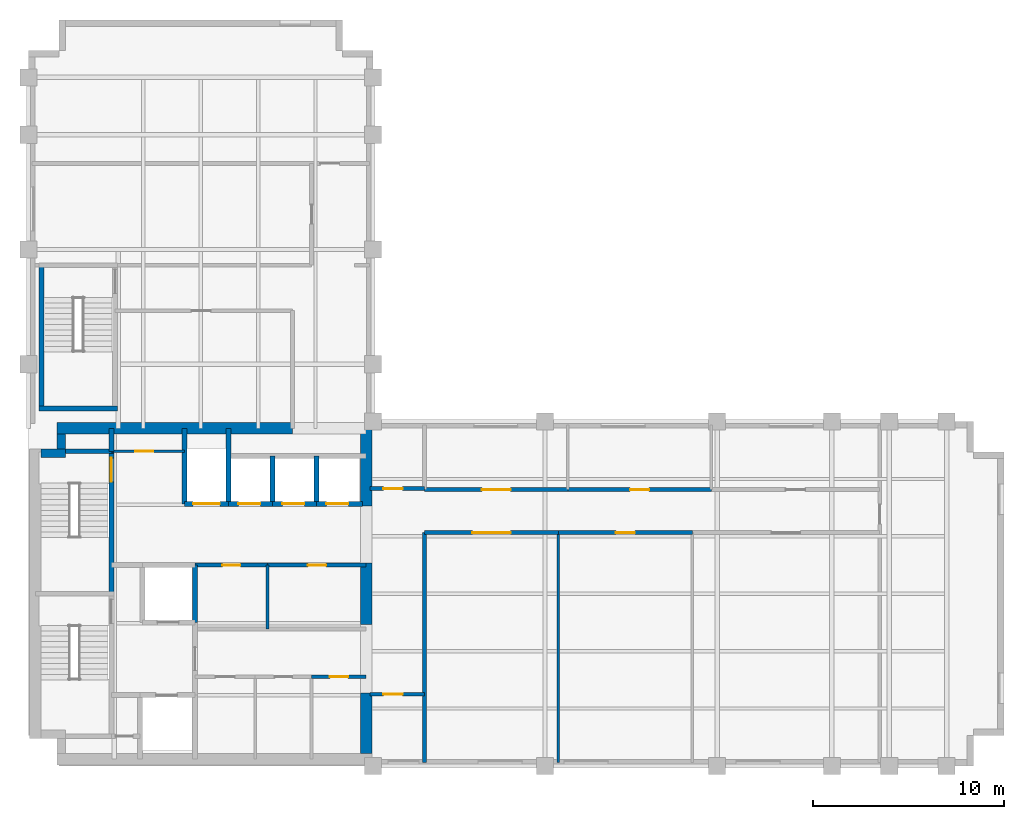
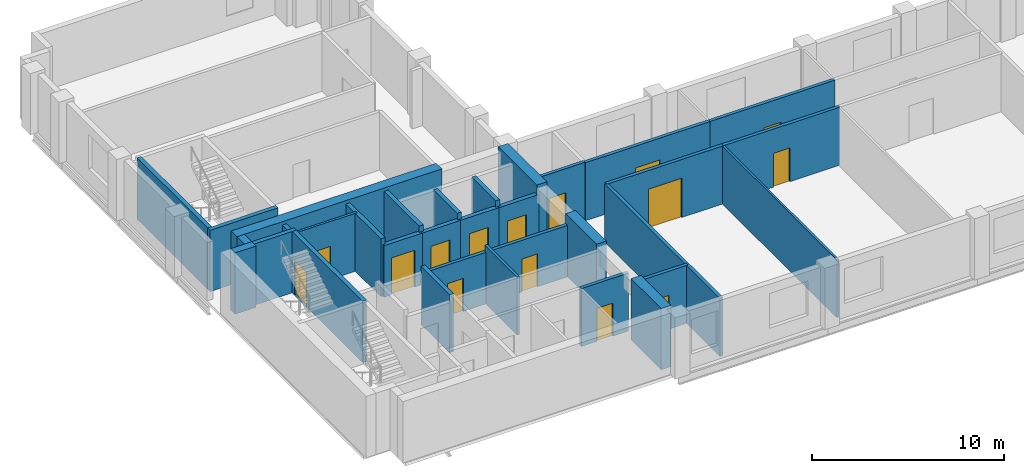
# One storey, part 3 of 6: 33 walls, 15 doors, 15 openings.
"""IFC4 building model written with IfcOpenShell, lengths in metres."""

from ifc_helpers import new_model, si_unit, direction, frame, frame_2d, origin, place, context, subcontext, project, spatial, rectangle, extrude, material, layer, layer_set, type_object, element, fill, save


model = new_model("IFC4")

# Units and contexts
model_context = context("Model", 3, precision=1e-05, world=origin(), true_north=direction((0.0, 1.0)))
body_context = subcontext(model_context, "Body", "Model", "MODEL_VIEW")
ifc_project = project(units=[si_unit("LENGTHUNIT", "METRE"), si_unit("AREAUNIT", "SQUARE_METRE"), si_unit("VOLUMEUNIT", "CUBIC_METRE"), si_unit("PLANEANGLEUNIT", "RADIAN"), si_unit("MASSUNIT", "GRAM", prefix="KILO")], contexts=[model_context])

# Site, building, storey
site_placement = place(None, origin())
site = spatial("IfcSite", under=ifc_project, at=site_placement, CompositionType="ELEMENT")
building_placement = place(site_placement, origin())
building = spatial("IfcBuilding", under=site, at=building_placement, Name="Mawjdan Bourse Tower", CompositionType="ELEMENT")
storey_placement = place(building_placement, frame((0.0, 0.0, 211.199951171875)))
storey = spatial("IfcBuildingStorey", under=building, at=storey_placement, Name="L51", CompositionType="ELEMENT", Elevation=211.199951171875)

# Wall, opening, door
ifc_material_1 = material(Name="Gypsum Fireboard Assembly")
ifc_layer_1 = layer(ifc_material_1, 0.199951171875)
ifc_layer_set_1 = layer_set([ifc_layer_1], Name="Gypsum Fireboard Assembly")
wall_type_1 = type_object("IfcWallType", Name="WL-CMP-200", PredefinedType="PARTITIONING", material=ifc_layer_set_1)
wall_1_placement = place(storey_placement, frame((20.800048828125, 7.659912109375, 0.0), z_axis=(0.0, 0.0, 1.0), x_axis=(1.0, 0.0, 0.0)))
wall_1 = element("IfcWall", 1, at=wall_1_placement, inside=storey, type_object=wall_type_1, Name="L51 Staff Beverage Pantry North Wall", PredefinedType="PARTITIONING", context=body_context, shape_type="SweptSolid", body=[
    extrude(rectangle(XDim=2.849853515625, YDim=0.199951171875, at=frame_2d((1.4248046875, 0.0))), origin(), (0.0, 0.0, 1.0), 3.68994140625),
])
opening_1_placement = place(wall_1_placement, frame((0.949951171875, 0.0, 0.0)))
opening_1 = element("IfcOpeningElement", 2, at=opening_1_placement, cuts=wall_1, Name="Opening D-L51-15", PredefinedType="OPENING", context=body_context, shape_type="SweptSolid", body=[
    extrude(rectangle(XDim=0.949951171875, YDim=2.10009765625, at=frame_2d((0.47509765625, 1.050048828125))), frame((0.0, 0.10986328125, 0.0), z_axis=(0.0, -1.0, 0.0), x_axis=(1.0, 0.0, 0.0)), (0.0, 0.0, 1.0), 0.219970703125),
])
ifc_material_2 = material(Name="Moisture-Resistant Laminate Timber", Category="wood")
door_type_1 = type_object("IfcDoorType", Name="DR-WET-0950", OperationType="NOTDEFINED", PredefinedType="DOOR", material=ifc_material_2)
door_1_placement = place(opening_1_placement, origin())
door_1 = element("IfcDoor", 3, at=door_1_placement, inside=storey, type_object=door_type_1, Name="L51 Staff Beverage Pantry Door D-L51-15", OperationType="SINGLE_SWING_RIGHT", OverallHeight=2.10009765625, OverallWidth=0.949951171875, PredefinedType="DOOR", context=body_context, shape_type="SweptSolid", body=[
    extrude(rectangle(XDim=0.949951171875, YDim=2.10009765625, at=frame_2d((0.47509765625, 1.050048828125))), frame((0.0, 0.02490234375, 0.0), z_axis=(0.0, -1.0, 0.0), x_axis=(1.0, 0.0, 0.0)), (0.0, 0.0, 1.0), 0.050048828125),
])
fill(opening_1, door_1)

wall_2_placement = place(storey_placement, frame((14.699951171875, 13.5, 0.0), z_axis=(0.0, 0.0, 1.0), x_axis=(1.0, 0.0, 0.0)))
wall_2 = element("IfcWall", 4, at=wall_2_placement, inside=storey, type_object=wall_type_1, Name="L51 Accessible WC North Wall", PredefinedType="PARTITIONING", context=body_context, shape_type="SweptSolid", body=[
    extrude(rectangle(XDim=3.800048828125, YDim=0.199951171875, at=frame_2d((1.89990234375, 0.0))), origin(), (0.0, 0.0, 1.0), 3.282958984375),
])
opening_2_placement = place(wall_2_placement, frame((1.425048828125, 0.0, 0.0)))
opening_2 = element("IfcOpeningElement", 5, at=opening_2_placement, cuts=wall_2, Name="Opening D-L51-16", PredefinedType="OPENING", context=body_context, shape_type="SweptSolid", body=[
    extrude(rectangle(XDim=0.949951171875, YDim=2.10009765625, at=frame_2d((0.47509765625, 1.050048828125))), frame((0.0, 0.10986328125, 0.0), z_axis=(0.0, -1.0, 0.0), x_axis=(1.0, 0.0, 0.0)), (0.0, 0.0, 1.0), 0.219970703125),
])
door_2_placement = place(opening_2_placement, origin())
door_2 = element("IfcDoor", 6, at=door_2_placement, inside=storey, type_object=door_type_1, Name="L51 Accessible WC Door D-L51-16", OperationType="SINGLE_SWING_LEFT", OverallHeight=2.10009765625, OverallWidth=0.949951171875, PredefinedType="DOOR", context=body_context, shape_type="SweptSolid", body=[
    extrude(rectangle(XDim=0.949951171875, YDim=2.10009765625, at=frame_2d((0.47509765625, 1.050048828125))), frame((0.0, 0.02490234375, 0.0), z_axis=(0.0, -1.0, 0.0), x_axis=(1.0, 0.0, 0.0)), (0.0, 0.0, 1.0), 0.050048828125),
])
fill(opening_2, door_2)

wall_3_placement = place(storey_placement, frame((18.5, 13.5, 0.0), z_axis=(0.0, 0.0, 1.0), x_axis=(1.0, 0.0, 0.0)))
wall_3 = element("IfcWall", 7, at=wall_3_placement, inside=storey, type_object=wall_type_1, Name="L51 Female Restroom North Wall", PredefinedType="PARTITIONING", context=body_context, shape_type="SweptSolid", body=[
    extrude(rectangle(XDim=5.14990234375, YDim=0.199951171875, at=frame_2d((2.574951171875, 0.0))), origin(), (0.0, 0.0, 1.0), 3.282958984375),
])
opening_3_placement = place(wall_3_placement, frame((2.10009765625, 0.0, 0.0)))
opening_3 = element("IfcOpeningElement", 8, at=opening_3_placement, cuts=wall_3, Name="Opening D-L51-17", PredefinedType="OPENING", context=body_context, shape_type="SweptSolid", body=[
    extrude(rectangle(XDim=0.949951171875, YDim=2.10009765625, at=frame_2d((0.47509765625, 1.050048828125))), frame((0.0, 0.10986328125, 0.0), z_axis=(0.0, -1.0, 0.0), x_axis=(1.0, 0.0, 0.0)), (0.0, 0.0, 1.0), 0.219970703125),
])
door_3_placement = place(opening_3_placement, origin())
door_3 = element("IfcDoor", 9, at=door_3_placement, inside=storey, type_object=door_type_1, Name="L51 Female Restroom Door D-L51-17", OperationType="SINGLE_SWING_RIGHT", OverallHeight=2.10009765625, OverallWidth=0.949951171875, PredefinedType="DOOR", context=body_context, shape_type="SweptSolid", body=[
    extrude(rectangle(XDim=0.949951171875, YDim=2.10009765625, at=frame_2d((0.47509765625, 1.050048828125))), frame((0.0, 0.02490234375, 0.0), z_axis=(0.0, -1.0, 0.0), x_axis=(1.0, 0.0, 0.0)), (0.0, 0.0, 1.0), 0.050048828125),
])
fill(opening_3, door_3)

wall_4_placement = place(storey_placement, frame((23.85009765625, 6.75, 0.0), z_axis=(0.0, 0.0, 1.0), x_axis=(1.0, 0.0, 0.0)))
wall_4 = element("IfcWall", 10, at=wall_4_placement, inside=storey, type_object=wall_type_1, Name="L51 West Pocket North Wall", PredefinedType="PARTITIONING", context=body_context, shape_type="SweptSolid", body=[
    extrude(rectangle(XDim=2.849853515625, YDim=0.199951171875, at=frame_2d((1.4248046875, 0.0))), origin(), (0.0, 0.0, 1.0), 3.68994140625),
])
opening_4_placement = place(wall_4_placement, frame((0.699951171875, 0.0, 0.0)))
opening_4 = element("IfcOpeningElement", 11, at=opening_4_placement, cuts=wall_4, Name="Opening D-L51-20", PredefinedType="OPENING", context=body_context, shape_type="SweptSolid", body=[
    extrude(rectangle(XDim=1.0, YDim=2.14990234375, at=frame_2d((0.5, 1.074951171875))), frame((0.0, 0.10986328125, 0.0), z_axis=(0.0, -1.0, 0.0), x_axis=(1.0, 0.0, 0.0)), (0.0, 0.0, 1.0), 0.219970703125),
])
ifc_material_3 = material(Name="Hardwood Acoustic Leaf", Category="wood")
door_type_2 = type_object("IfcDoorType", Name="DR-OFC-1000", OperationType="NOTDEFINED", PredefinedType="DOOR", material=ifc_material_3)
door_4_placement = place(opening_4_placement, origin())
door_4 = element("IfcDoor", 12, at=door_4_placement, inside=storey, type_object=door_type_2, Name="L51 West Pocket Office Door D-L51-20", OperationType="SINGLE_SWING_LEFT", OverallHeight=2.14990234375, OverallWidth=1.0, PredefinedType="DOOR", context=body_context, shape_type="SweptSolid", body=[
    extrude(rectangle(XDim=1.0, YDim=2.14990234375, at=frame_2d((0.5, 1.074951171875))), frame((0.0, 0.02490234375, 0.0), z_axis=(0.0, -1.0, 0.0), x_axis=(1.0, 0.0, 0.0)), (0.0, 0.0, 1.0), 0.050048828125),
])
fill(opening_4, door_4)

wall_5_placement = place(storey_placement, frame((23.85009765625, 17.5, 0.0), z_axis=(0.0, 0.0, 1.0), x_axis=(1.0, 0.0, 0.0)))
wall_5 = element("IfcWall", 13, at=wall_5_placement, inside=storey, type_object=wall_type_1, Name="L51 West North Pocket Wall", PredefinedType="PARTITIONING", context=body_context, shape_type="SweptSolid", body=[
    extrude(rectangle(XDim=2.849853515625, YDim=0.199951171875, at=frame_2d((1.4248046875, 0.0))), origin(), (0.0, 0.0, 1.0), 3.68994140625),
])
opening_5_placement = place(wall_5_placement, frame((0.699951171875, 0.0, 0.0)))
opening_5 = element("IfcOpeningElement", 14, at=opening_5_placement, cuts=wall_5, Name="Opening D-L51-21", PredefinedType="OPENING", context=body_context, shape_type="SweptSolid", body=[
    extrude(rectangle(XDim=1.0, YDim=2.14990234375, at=frame_2d((0.5, 1.074951171875))), frame((0.0, 0.10986328125, 0.0), z_axis=(0.0, -1.0, 0.0), x_axis=(1.0, 0.0, 0.0)), (0.0, 0.0, 1.0), 0.219970703125),
])
door_5_placement = place(opening_5_placement, origin())
door_5 = element("IfcDoor", 15, at=door_5_placement, inside=storey, type_object=door_type_2, Name="L51 West North Pocket Door D-L51-21", OperationType="SINGLE_SWING_RIGHT", OverallHeight=2.14990234375, OverallWidth=1.0, PredefinedType="DOOR", context=body_context, shape_type="SweptSolid", body=[
    extrude(rectangle(XDim=1.0, YDim=2.14990234375, at=frame_2d((0.5, 1.074951171875))), frame((0.0, 0.02490234375, 0.0), z_axis=(0.0, -1.0, 0.0), x_axis=(1.0, 0.0, 0.0)), (0.0, 0.0, 1.0), 0.050048828125),
])
fill(opening_5, door_5)

# Wall
wall_6_placement = place(storey_placement, frame((26.699951171875, 3.179931640625, 0.0), z_axis=(0.0, 0.0, 1.0), x_axis=(0.0, 1.0, 0.0)))
element("IfcWall", 16, at=wall_6_placement, inside=storey, type_object=wall_type_1, Name="L51 Vestibule South East Wall", PredefinedType="PARTITIONING", context=body_context, shape_type="SweptSolid", body=[
    extrude(rectangle(XDim=12.02001953125, YDim=0.199951171875, at=frame_2d((6.010009765625, 0.0))), origin(), (0.0, 0.0, 1.0), 3.68994140625),
])

# Wall, opening, door
wall_7_placement = place(storey_placement, frame((26.699951171875, 15.199951171875, 0.0), z_axis=(0.0, 0.0, 1.0), x_axis=(1.0, 0.0, 0.0)))
wall_7 = element("IfcWall", 17, at=wall_7_placement, inside=storey, type_object=wall_type_1, Name="L51 Maritime & Energy Funds Hall Corridor Wall", PredefinedType="PARTITIONING", context=body_context, shape_type="SweptSolid", body=[
    extrude(rectangle(XDim=7.0, YDim=0.199951171875, at=frame_2d((3.5, 0.0))), origin(), (0.0, 0.0, 1.0), 3.68994140625),
])
opening_6_placement = place(wall_7_placement, frame((2.5, 0.0, 0.0)))
opening_6 = element("IfcOpeningElement", 18, at=opening_6_placement, cuts=wall_7, Name="Opening D-L51-22", PredefinedType="OPENING", context=body_context, shape_type="SweptSolid", body=[
    extrude(rectangle(XDim=2.0, YDim=2.5, at=frame_2d((1.0, 1.25))), frame((0.0, 0.10986328125, 0.0), z_axis=(0.0, -1.0, 0.0), x_axis=(1.0, 0.0, 0.0)), (0.0, 0.0, 1.0), 0.219970703125),
])
ifc_material_4 = material(Name="Acoustic Veneered Timber", Category="wood")
door_type_3 = type_object("IfcDoorType", Name="DR-ASM-2000", OperationType="DOUBLE_DOOR_SINGLE_SWING", PredefinedType="DOOR", material=ifc_material_4)
door_6_placement = place(opening_6_placement, origin())
door_6 = element("IfcDoor", 19, at=door_6_placement, inside=storey, type_object=door_type_3, Name="L51 Maritime & Energy Funds Hall Door D-L51-22", OperationType="DOUBLE_DOOR_SINGLE_SWING", OverallHeight=2.5, OverallWidth=2.0, PredefinedType="DOOR", context=body_context, shape_type="SweptSolid", body=[
    extrude(rectangle(XDim=2.0, YDim=2.5, at=frame_2d((1.0, 1.25))), frame((0.0, 0.02490234375, 0.0), z_axis=(0.0, -1.0, 0.0), x_axis=(1.0, 0.0, 0.0)), (0.0, 0.0, 1.0), 0.050048828125),
])
fill(opening_6, door_6)

wall_8_placement = place(storey_placement, frame((33.699951171875, 15.199951171875, 0.0), z_axis=(0.0, 0.0, 1.0), x_axis=(1.0, 0.0, 0.0)))
wall_8 = element("IfcWall", 20, at=wall_8_placement, inside=storey, type_object=wall_type_1, Name="L51 Executive Office Corridor Wall", PredefinedType="PARTITIONING", context=body_context, shape_type="SweptSolid", body=[
    extrude(rectangle(XDim=7.0, YDim=0.199951171875, at=frame_2d((3.5, 0.0))), origin(), (0.0, 0.0, 1.0), 3.68994140625),
])
opening_7_placement = place(wall_8_placement, frame((3.0, 0.0, 0.0)))
opening_7 = element("IfcOpeningElement", 21, at=opening_7_placement, cuts=wall_8, Name="Opening D-L51-23", PredefinedType="OPENING", context=body_context, shape_type="SweptSolid", body=[
    extrude(rectangle(XDim=1.0, YDim=2.14990234375, at=frame_2d((0.5, 1.074951171875))), frame((0.0, 0.10986328125, 0.0), z_axis=(0.0, -1.0, 0.0), x_axis=(1.0, 0.0, 0.0)), (0.0, 0.0, 1.0), 0.219970703125),
])
door_7_placement = place(opening_7_placement, origin())
door_7 = element("IfcDoor", 22, at=door_7_placement, inside=storey, type_object=door_type_2, Name="L51 Executive Office Door D-L51-23", OperationType="SINGLE_SWING_LEFT", OverallHeight=2.14990234375, OverallWidth=1.0, PredefinedType="DOOR", context=body_context, shape_type="SweptSolid", body=[
    extrude(rectangle(XDim=1.0, YDim=2.14990234375, at=frame_2d((0.5, 1.074951171875))), frame((0.0, 0.02490234375, 0.0), z_axis=(0.0, -1.0, 0.0), x_axis=(1.0, 0.0, 0.0)), (0.0, 0.0, 1.0), 0.050048828125),
])
fill(opening_7, door_7)

wall_9_placement = place(storey_placement, frame((26.699951171875, 17.449951171875, 0.0), z_axis=(0.0, 0.0, 1.0), x_axis=(1.0, 0.0, 0.0)))
wall_9 = element("IfcWall", 23, at=wall_9_placement, inside=storey, type_object=wall_type_1, Name="L51 Conference Room Corridor Wall", PredefinedType="PARTITIONING", context=body_context, shape_type="SweptSolid", body=[
    extrude(rectangle(XDim=7.5, YDim=0.199951171875, at=frame_2d((3.75, 0.0))), origin(), (0.0, 0.0, 1.0), 3.68994140625),
])
opening_8_placement = place(wall_9_placement, frame((3.0, 0.0, 0.0)))
opening_8 = element("IfcOpeningElement", 24, at=opening_8_placement, cuts=wall_9, Name="Opening D-L51-25", PredefinedType="OPENING", context=body_context, shape_type="SweptSolid", body=[
    extrude(rectangle(XDim=1.5, YDim=2.300048828125, at=frame_2d((0.75, 1.14990234375))), frame((0.0, 0.10986328125, 0.0), z_axis=(0.0, -1.0, 0.0), x_axis=(1.0, 0.0, 0.0)), (0.0, 0.0, 1.0), 0.219970703125),
])
ifc_material_5 = material(Name="Acoustic Glazed Timber", Category="wood")
door_type_4 = type_object("IfcDoorType", Name="DR-CNF-1500", OperationType="DOUBLE_DOOR_SINGLE_SWING", PredefinedType="DOOR", material=ifc_material_5)
door_8_placement = place(opening_8_placement, origin())
door_8 = element("IfcDoor", 25, at=door_8_placement, inside=storey, type_object=door_type_4, Name="L51 Conference Room Door D-L51-25", OperationType="DOUBLE_DOOR_SINGLE_SWING", OverallHeight=2.300048828125, OverallWidth=1.5, PredefinedType="DOOR", context=body_context, shape_type="SweptSolid", body=[
    extrude(rectangle(XDim=1.5, YDim=2.300048828125, at=frame_2d((0.75, 1.14990234375))), frame((0.0, 0.02490234375, 0.0), z_axis=(0.0, -1.0, 0.0), x_axis=(1.0, 0.0, 0.0)), (0.0, 0.0, 1.0), 0.050048828125),
])
fill(opening_8, door_8)

wall_10_placement = place(storey_placement, frame((34.199951171875, 17.449951171875, 0.0), z_axis=(0.0, 0.0, 1.0), x_axis=(1.0, 0.0, 0.0)))
wall_10 = element("IfcWall", 26, at=wall_10_placement, inside=storey, type_object=wall_type_1, Name="L51 ESG Research Library Corridor Wall", PredefinedType="PARTITIONING", context=body_context, shape_type="SweptSolid", body=[
    extrude(rectangle(XDim=7.5, YDim=0.199951171875, at=frame_2d((3.75, 0.0))), origin(), (0.0, 0.0, 1.0), 3.68994140625),
])
opening_9_placement = place(wall_10_placement, frame((3.25, 0.0, 0.0)))
opening_9 = element("IfcOpeningElement", 27, at=opening_9_placement, cuts=wall_10, Name="Opening D-L51-26", PredefinedType="OPENING", context=body_context, shape_type="SweptSolid", body=[
    extrude(rectangle(XDim=1.0, YDim=2.14990234375, at=frame_2d((0.5, 1.074951171875))), frame((0.0, 0.10986328125, 0.0), z_axis=(0.0, -1.0, 0.0), x_axis=(1.0, 0.0, 0.0)), (0.0, 0.0, 1.0), 0.219970703125),
])
door_9_placement = place(opening_9_placement, origin())
door_9 = element("IfcDoor", 28, at=door_9_placement, inside=storey, type_object=door_type_2, Name="L51 ESG Research Library Door D-L51-26", OperationType="SINGLE_SWING_RIGHT", OverallHeight=2.14990234375, OverallWidth=1.0, PredefinedType="DOOR", context=body_context, shape_type="SweptSolid", body=[
    extrude(rectangle(XDim=1.0, YDim=2.14990234375, at=frame_2d((0.5, 1.074951171875))), frame((0.0, 0.02490234375, 0.0), z_axis=(0.0, -1.0, 0.0), x_axis=(1.0, 0.0, 0.0)), (0.0, 0.0, 1.0), 0.050048828125),
])
fill(opening_9, door_9)

# Walls
ifc_material_6 = material(Name="Concrete C60/75", Category="concrete")
ifc_layer_2 = layer(ifc_material_6, 0.449951171875)
ifc_layer_set_2 = layer_set([ifc_layer_2], Name="Concrete C60/75")
wall_type_2 = type_object("IfcWallType", Name="WL-CORE-450", PredefinedType="SHEAR", material=ifc_layer_set_2)
wall_11_placement = place(storey_placement, frame((6.64990234375, 19.35009765625, 0.0), z_axis=(0.0, 0.0, 1.0), x_axis=(1.0, 0.0, 0.0)))
element("IfcWall", 29, at=wall_11_placement, inside=storey, type_object=wall_type_2, Name="L51 Rear Core Shear Wall NW-X", PredefinedType="SHEAR", context=body_context, shape_type="SweptSolid", body=[
    extrude(rectangle(XDim=1.275146484375, YDim=0.449951171875, at=frame_2d((0.6376953125, 0.0))), origin(), (0.0, 0.0, 1.0), 3.900146484375),
])
wall_12_placement = place(storey_placement, frame((7.699951171875, 19.574951171875, 0.0), z_axis=(0.0, 0.0, 1.0), x_axis=(0.0, 1.0, 0.0)))
element("IfcWall", 30, at=wall_12_placement, inside=storey, type_object=wall_type_2, Name="L51 Rear Core Shear Wall NW-Y", PredefinedType="SHEAR", context=body_context, shape_type="SweptSolid", body=[
    extrude(rectangle(XDim=0.775146484375, YDim=0.449951171875, at=frame_2d((0.3876953125, 0.0))), origin(), (0.0, 0.0, 1.0), 3.900146484375),
])
ifc_material_7 = material(Name="Concrete C70/85", Category="concrete")
ifc_layer_3 = layer(ifc_material_7, 0.60009765625)
ifc_layer_set_3 = layer_set([ifc_layer_3], Name="Concrete C70/85")
wall_type_3 = type_object("IfcWallType", Name="WL-CORE-600", PredefinedType="SHEAR", material=ifc_layer_set_3)
wall_13_placement = place(storey_placement, frame((7.47509765625, 20.64990234375, 0.0), z_axis=(0.0, 0.0, 1.0), x_axis=(1.0, 0.0, 0.0)))
element("IfcWall", 31, at=wall_13_placement, inside=storey, type_object=wall_type_3, Name="L51 Rear Core Shear Wall N", PredefinedType="SHEAR", context=body_context, shape_type="SweptSolid", body=[
    extrude(rectangle(XDim=12.324951171875, YDim=0.60009765625, at=frame_2d((6.16259765625, 0.0))), origin(), (0.0, 0.0, 1.0), 3.900146484375),
])
wall_14_placement = place(storey_placement, frame((23.64990234375, 3.64990234375, 0.0), z_axis=(0.0, 0.0, 1.0), x_axis=(0.0, 1.0, 0.0)))
element("IfcWall", 32, at=wall_14_placement, inside=storey, type_object=wall_type_3, Name="L51 Rear Core Shear Wall E1", PredefinedType="SHEAR", context=body_context, shape_type="SweptSolid", body=[
    extrude(rectangle(XDim=3.150146484375, YDim=0.60009765625, at=frame_2d((1.5751953125, 0.0))), origin(), (0.0, 0.0, 1.0), 3.900146484375),
])
wall_15_placement = place(storey_placement, frame((23.64990234375, 10.39990234375, 0.0), z_axis=(0.0, 0.0, 1.0), x_axis=(0.0, 1.0, 0.0)))
element("IfcWall", 33, at=wall_15_placement, inside=storey, type_object=wall_type_3, Name="L51 Rear Core Shear Wall E2", PredefinedType="SHEAR", context=body_context, shape_type="SweptSolid", body=[
    extrude(rectangle(XDim=3.2001953125, YDim=0.60009765625, at=frame_2d((1.60009765625, 0.0))), origin(), (0.0, 0.0, 1.0), 3.900146484375),
])
wall_16_placement = place(storey_placement, frame((23.64990234375, 16.60009765625, 0.0), z_axis=(0.0, 0.0, 1.0), x_axis=(0.0, 1.0, 0.0)))
element("IfcWall", 34, at=wall_16_placement, inside=storey, type_object=wall_type_3, Name="L51 Rear Core Shear Wall E3", PredefinedType="SHEAR", context=body_context, shape_type="SweptSolid", body=[
    extrude(rectangle(XDim=4.0498046875, YDim=0.60009765625, at=frame_2d((2.02490234375, 0.0))), origin(), (0.0, 0.0, 1.0), 3.900146484375),
])
ifc_material_8 = material(Name="Gypsum Partition")
ifc_layer_4 = layer(ifc_material_8, 0.125)
ifc_layer_set_4 = layer_set([ifc_layer_4], Name="Gypsum Partition")
wall_type_4 = type_object("IfcWallType", Name="WL-PRT-125", PredefinedType="PARTITIONING", material=ifc_layer_set_4)
wall_17_placement = place(storey_placement, frame((33.699951171875, 3.179931640625, 0.0), z_axis=(0.0, 0.0, 1.0), x_axis=(0.0, 1.0, 0.0)))
element("IfcWall", 35, at=wall_17_placement, inside=storey, type_object=wall_type_4, Name="L51 Executive Office Partition", PredefinedType="PARTITIONING", context=body_context, shape_type="SweptSolid", body=[
    extrude(rectangle(XDim=12.02001953125, YDim=0.125, at=frame_2d((6.010009765625, 0.0))), origin(), (0.0, 0.0, 1.0), 3.68994140625),
])
ifc_material_9 = material(Name="Gypsum Acoustic Partition")
ifc_layer_5 = layer(ifc_material_9, 0.14990234375)
ifc_layer_set_5 = layer_set([ifc_layer_5], Name="Gypsum Acoustic Partition")
wall_type_5 = type_object("IfcWallType", Name="WL-PRT-150", PredefinedType="PARTITIONING", material=ifc_layer_set_5)
wall_18_placement = place(storey_placement, frame((18.5, 10.14990234375, 0.0), z_axis=(0.0, 0.0, 1.0), x_axis=(0.0, 1.0, 0.0)))
element("IfcWall", 36, at=wall_18_placement, inside=storey, type_object=wall_type_5, Name="L51 Female Restroom Split Wall", PredefinedType="PARTITIONING", context=body_context, shape_type="SweptSolid", body=[
    extrude(rectangle(XDim=3.35009765625, YDim=0.14990234375, at=frame_2d((1.675048828125, 0.0))), origin(), (0.0, 0.0, 1.0), 3.68994140625),
])

# Wall, opening, door
wall_19_placement = place(storey_placement, frame((10.330078125, 19.449951171875, 0.0), z_axis=(0.0, 0.0, 1.0), x_axis=(1.0, 0.0, 0.0)))
wall_19 = element("IfcWall", 37, at=wall_19_placement, inside=storey, type_object=wall_type_5, Name="L51 Housekeeping South Wall", PredefinedType="PARTITIONING", context=body_context, shape_type="SweptSolid", body=[
    extrude(rectangle(XDim=3.81982421875, YDim=0.14990234375, at=frame_2d((1.909912109375, 0.0))), origin(), (0.0, 0.0, 1.0), 3.68994140625),
])
opening_10_placement = place(wall_19_placement, frame((1.25, 0.0, 0.0)))
opening_10 = element("IfcOpeningElement", 38, at=opening_10_placement, cuts=wall_19, Name="Opening D-L51-18", PredefinedType="OPENING", context=body_context, shape_type="SweptSolid", body=[
    extrude(rectangle(XDim=0.949951171875, YDim=2.10009765625, at=frame_2d((0.47509765625, 1.050048828125))), frame((0.0, 0.0849609375, 0.0), z_axis=(0.0, -1.0, 0.0), x_axis=(1.0, 0.0, 0.0)), (0.0, 0.0, 1.0), 0.169921875),
])
door_10_placement = place(opening_10_placement, origin())
door_10 = element("IfcDoor", 39, at=door_10_placement, inside=storey, type_object=door_type_1, Name="L51 Housekeeping Closet Door D-L51-18", OperationType="SINGLE_SWING_LEFT", OverallHeight=2.10009765625, OverallWidth=0.949951171875, PredefinedType="DOOR", context=body_context, shape_type="SweptSolid", body=[
    extrude(rectangle(XDim=0.949951171875, YDim=2.10009765625, at=frame_2d((0.47509765625, 1.050048828125))), frame((0.0, 0.02490234375, 0.0), z_axis=(0.0, -1.0, 0.0), x_axis=(1.0, 0.0, 0.0)), (0.0, 0.0, 1.0), 0.050048828125),
])
fill(opening_10, door_10)

# Walls
ifc_material_10 = material(Name="Concrete C50/60", Category="concrete")
ifc_layer_6 = layer(ifc_material_10, 0.25)
ifc_layer_set_6 = layer_set([ifc_layer_6], Name="Concrete C50/60")
wall_type_6 = type_object("IfcWallType", Name="WL-SHFT-250", PredefinedType="PARTITIONING", material=ifc_layer_set_6)
wall_20_placement = place(storey_placement, frame((10.330078125, 19.449951171875, 0.0), z_axis=(0.0, 0.0, 1.0), x_axis=(0.0, 1.0, 0.0)))
element("IfcWall", 40, at=wall_20_placement, inside=storey, type_object=wall_type_6, Name="L51 NW Riser East Wall", PredefinedType="PARTITIONING", context=body_context, shape_type="SweptSolid", body=[
    extrude(rectangle(XDim=1.199951171875, YDim=0.25, at=frame_2d((0.60009765625, 0.0))), origin(), (0.0, 0.0, 1.0), 3.68994140625),
])
wall_21_placement = place(storey_placement, frame((14.699951171875, 10.5, 0.0), z_axis=(0.0, 0.0, 1.0), x_axis=(0.0, 1.0, 0.0)))
element("IfcWall", 41, at=wall_21_placement, inside=storey, type_object=wall_type_6, Name="L51 FFL-02 East Shaft Wall", PredefinedType="PARTITIONING", context=body_context, shape_type="SweptSolid", body=[
    extrude(rectangle(XDim=3.0, YDim=0.25, at=frame_2d((1.5, 0.0))), origin(), (0.0, 0.0, 1.0), 3.68994140625),
])

# Wall, opening, door
wall_22_placement = place(storey_placement, frame((14.14990234375, 16.699951171875, 0.0), z_axis=(0.0, 0.0, 1.0), x_axis=(1.0, 0.0, 0.0)))
wall_22 = element("IfcWall", 42, at=wall_22_placement, inside=storey, type_object=wall_type_6, Name="L51 SVL-01 Front Shaft Wall", PredefinedType="PARTITIONING", context=body_context, shape_type="SweptSolid", body=[
    extrude(rectangle(XDim=2.300048828125, YDim=0.25, at=frame_2d((1.14990234375, 0.0))), origin(), (0.0, 0.0, 1.0), 3.282958984375),
])
opening_11_placement = place(wall_22_placement, frame((0.449951171875, 0.0, 0.0)))
opening_11 = element("IfcOpeningElement", 43, at=opening_11_placement, cuts=wall_22, Name="Opening LD-L51-09", PredefinedType="OPENING", context=body_context, shape_type="SweptSolid", body=[
    extrude(rectangle(XDim=1.39990234375, YDim=2.35009765625, at=frame_2d((0.699951171875, 1.175048828125))), frame((0.0, 0.135009765625, 0.0), z_axis=(0.0, -1.0, 0.0), x_axis=(1.0, 0.0, 0.0)), (0.0, 0.0, 1.0), 0.27001953125),
])
ifc_material_11 = material(Name="Heavy-Duty Stainless Steel", Category="steel")
door_type_5 = type_object("IfcDoorType", Name="LD-SRV-1400", OperationType="DOUBLE_DOOR_SLIDING", PredefinedType="DOOR", material=ifc_material_11)
door_11_placement = place(opening_11_placement, origin())
door_11 = element("IfcDoor", 44, at=door_11_placement, inside=storey, type_object=door_type_5, Name="L51 Service Lift SVL-01 Landing Door LD-L51-09", OperationType="DOUBLE_DOOR_SLIDING", OverallHeight=2.35009765625, OverallWidth=1.39990234375, PredefinedType="DOOR", context=body_context, shape_type="SweptSolid", body=[
    extrude(rectangle(XDim=1.39990234375, YDim=2.35009765625, at=frame_2d((0.699951171875, 1.175048828125))), frame((0.0, 0.02490234375, 0.0), z_axis=(0.0, -1.0, 0.0), x_axis=(1.0, 0.0, 0.0)), (0.0, 0.0, 1.0), 0.050048828125),
])
fill(opening_11, door_11)

# Walls
for number, where, z_axis, x_axis, name in (
    (45, (14.14990234375, 16.699951171875, 0.0), (0.0, 0.0, 1.0), (0.0, 1.0, 0.0), "L51 SVL-01 West Shaft Wall"),
    (46, (16.449951171875, 16.699951171875, 0.0), (0.0, 0.0, 1.0), (0.0, 1.0, 0.0), "L51 SVL-01 East Shaft Wall"),
):
    element("IfcWall", number, at=place(storey_placement, frame(where, z_axis=z_axis, x_axis=x_axis)), inside=storey, type_object=wall_type_6, Name=name, PredefinedType="PARTITIONING", context=body_context, shape_type="SweptSolid", body=[
        extrude(rectangle(XDim=3.949951171875, YDim=0.25, at=frame_2d((1.97509765625, 0.0))), origin(), (0.0, 0.0, 1.0), 3.68994140625),
    ])

# Wall, opening, door
wall_23_placement = place(storey_placement, frame((16.449951171875, 16.699951171875, 0.0), z_axis=(0.0, 0.0, 1.0), x_axis=(1.0, 0.0, 0.0)))
wall_23 = element("IfcWall", 47, at=wall_23_placement, inside=storey, type_object=wall_type_6, Name="L51 PH-01 Front Wall", PredefinedType="PARTITIONING", context=body_context, shape_type="SweptSolid", body=[
    extrude(rectangle(XDim=2.300048828125, YDim=0.25, at=frame_2d((1.14990234375, 0.0))), origin(), (0.0, 0.0, 1.0), 3.282958984375),
])
opening_12_placement = place(wall_23_placement, frame((0.52001953125, 0.0, 0.0)))
opening_12 = element("IfcOpeningElement", 48, at=opening_12_placement, cuts=wall_23, Name="Opening LD-L51-10", PredefinedType="OPENING", context=body_context, shape_type="SweptSolid", body=[
    extrude(rectangle(XDim=1.14990234375, YDim=2.25, at=frame_2d((0.574951171875, 1.125))), frame((0.0, 0.135009765625, 0.0), z_axis=(0.0, -1.0, 0.0), x_axis=(1.0, 0.0, 0.0)), (0.0, 0.0, 1.0), 0.27001953125),
])
ifc_material_12 = material(Name="Brushed Stainless Steel", Category="steel")
door_type_6 = type_object("IfcDoorType", Name="LD-PAS-1150", OperationType="DOUBLE_DOOR_SLIDING", PredefinedType="DOOR", material=ifc_material_12)
door_12_placement = place(opening_12_placement, origin())
door_12 = element("IfcDoor", 49, at=door_12_placement, inside=storey, type_object=door_type_6, Name="L51 Lift PH-01 Landing Door LD-L51-10", OperationType="DOUBLE_DOOR_SLIDING", OverallHeight=2.25, OverallWidth=1.14990234375, PredefinedType="DOOR", context=body_context, shape_type="SweptSolid", body=[
    extrude(rectangle(XDim=1.14990234375, YDim=2.25, at=frame_2d((0.574951171875, 1.125))), frame((0.0, 0.02490234375, 0.0), z_axis=(0.0, -1.0, 0.0), x_axis=(1.0, 0.0, 0.0)), (0.0, 0.0, 1.0), 0.050048828125),
])
fill(opening_12, door_12)

# Wall
wall_24_placement = place(storey_placement, frame((18.75, 16.699951171875, 0.0), z_axis=(0.0, 0.0, 1.0), x_axis=(0.0, 1.0, 0.0)))
element("IfcWall", 50, at=wall_24_placement, inside=storey, type_object=wall_type_6, Name="L51 PH-01 Divider Wall", PredefinedType="PARTITIONING", context=body_context, shape_type="SweptSolid", body=[
    extrude(rectangle(XDim=2.5, YDim=0.25, at=frame_2d((1.25, 0.0))), origin(), (0.0, 0.0, 1.0), 3.68994140625),
])

# Wall, opening, door
wall_25_placement = place(storey_placement, frame((18.75, 16.699951171875, 0.0), z_axis=(0.0, 0.0, 1.0), x_axis=(1.0, 0.0, 0.0)))
wall_25 = element("IfcWall", 51, at=wall_25_placement, inside=storey, type_object=wall_type_6, Name="L51 PH-02 Front Wall", PredefinedType="PARTITIONING", context=body_context, shape_type="SweptSolid", body=[
    extrude(rectangle(XDim=2.300048828125, YDim=0.25, at=frame_2d((1.14990234375, 0.0))), origin(), (0.0, 0.0, 1.0), 3.282958984375),
])
opening_13_placement = place(wall_25_placement, frame((0.52001953125, 0.0, 0.0)))
opening_13 = element("IfcOpeningElement", 52, at=opening_13_placement, cuts=wall_25, Name="Opening LD-L51-11", PredefinedType="OPENING", context=body_context, shape_type="SweptSolid", body=[
    extrude(rectangle(XDim=1.14990234375, YDim=2.25, at=frame_2d((0.574951171875, 1.125))), frame((0.0, 0.135009765625, 0.0), z_axis=(0.0, -1.0, 0.0), x_axis=(1.0, 0.0, 0.0)), (0.0, 0.0, 1.0), 0.27001953125),
])
door_13_placement = place(opening_13_placement, origin())
door_13 = element("IfcDoor", 53, at=door_13_placement, inside=storey, type_object=door_type_6, Name="L51 Lift PH-02 Landing Door LD-L51-11", OperationType="DOUBLE_DOOR_SLIDING", OverallHeight=2.25, OverallWidth=1.14990234375, PredefinedType="DOOR", context=body_context, shape_type="SweptSolid", body=[
    extrude(rectangle(XDim=1.14990234375, YDim=2.25, at=frame_2d((0.574951171875, 1.125))), frame((0.0, 0.02490234375, 0.0), z_axis=(0.0, -1.0, 0.0), x_axis=(1.0, 0.0, 0.0)), (0.0, 0.0, 1.0), 0.050048828125),
])
fill(opening_13, door_13)

# Wall
wall_26_placement = place(storey_placement, frame((21.050048828125, 16.699951171875, 0.0), z_axis=(0.0, 0.0, 1.0), x_axis=(0.0, 1.0, 0.0)))
element("IfcWall", 54, at=wall_26_placement, inside=storey, type_object=wall_type_6, Name="L51 PH-02 Divider Wall", PredefinedType="PARTITIONING", context=body_context, shape_type="SweptSolid", body=[
    extrude(rectangle(XDim=2.5, YDim=0.25, at=frame_2d((1.25, 0.0))), origin(), (0.0, 0.0, 1.0), 3.68994140625),
])

# Wall, opening, door
wall_27_placement = place(storey_placement, frame((21.050048828125, 16.699951171875, 0.0), z_axis=(0.0, 0.0, 1.0), x_axis=(1.0, 0.0, 0.0)))
wall_27 = element("IfcWall", 55, at=wall_27_placement, inside=storey, type_object=wall_type_6, Name="L51 PH-03 Front Wall", PredefinedType="PARTITIONING", context=body_context, shape_type="SweptSolid", body=[
    extrude(rectangle(XDim=2.39990234375, YDim=0.25, at=frame_2d((1.199951171875, 0.0))), origin(), (0.0, 0.0, 1.0), 3.282958984375),
])
opening_14_placement = place(wall_27_placement, frame((0.52001953125, 0.0, 0.0)))
opening_14 = element("IfcOpeningElement", 56, at=opening_14_placement, cuts=wall_27, Name="Opening LD-L51-12", PredefinedType="OPENING", context=body_context, shape_type="SweptSolid", body=[
    extrude(rectangle(XDim=1.14990234375, YDim=2.25, at=frame_2d((0.574951171875, 1.125))), frame((0.0, 0.135009765625, 0.0), z_axis=(0.0, -1.0, 0.0), x_axis=(1.0, 0.0, 0.0)), (0.0, 0.0, 1.0), 0.27001953125),
])
door_14_placement = place(opening_14_placement, origin())
door_14 = element("IfcDoor", 57, at=door_14_placement, inside=storey, type_object=door_type_6, Name="L51 Lift PH-03 Landing Door LD-L51-12", OperationType="DOUBLE_DOOR_SLIDING", OverallHeight=2.25, OverallWidth=1.14990234375, PredefinedType="DOOR", context=body_context, shape_type="SweptSolid", body=[
    extrude(rectangle(XDim=1.14990234375, YDim=2.25, at=frame_2d((0.574951171875, 1.125))), frame((0.0, 0.02490234375, 0.0), z_axis=(0.0, -1.0, 0.0), x_axis=(1.0, 0.0, 0.0)), (0.0, 0.0, 1.0), 0.050048828125),
])
fill(opening_14, door_14)

# Wall
ifc_layer_7 = layer(ifc_material_10, 0.25)
ifc_layer_set_7 = layer_set([ifc_layer_7], Name="Concrete C50/60")
wall_type_7 = type_object("IfcWallType", Name="WL-STRW-250", PredefinedType="SHEAR", material=ifc_layer_set_7)
wall_28_placement = place(storey_placement, frame((7.699951171875, 19.449951171875, 0.0), z_axis=(0.0, 0.0, 1.0), x_axis=(1.0, 0.0, 0.0)))
element("IfcWall", 58, at=wall_28_placement, inside=storey, type_object=wall_type_7, Name="L51 Stairwell ST2 North Shaft Wall", PredefinedType="SHEAR", context=body_context, shape_type="SweptSolid", body=[
    extrude(rectangle(XDim=2.755126953125, YDim=0.25, at=frame_2d((1.37744140625, 0.0))), origin(), (0.0, 0.0, 1.0), 3.900146484375),
])

# Wall, opening, door
wall_29_placement = place(storey_placement, frame((10.330078125, 12.0, 0.0), z_axis=(0.0, 0.0, 1.0), x_axis=(0.0, 1.0, 0.0)))
wall_29 = element("IfcWall", 59, at=wall_29_placement, inside=storey, type_object=wall_type_7, Name="L51 Stairwell ST2 East Enclosure Wall", PredefinedType="SHEAR", context=body_context, shape_type="SweptSolid", body=[
    extrude(rectangle(XDim=7.449951171875, YDim=0.25, at=frame_2d((3.72509765625, 0.0))), origin(), (0.0, 0.0, 1.0), 3.900146484375),
])
opening_15_placement = place(wall_29_placement, frame((5.85009765625, 0.0, 0.0)))
opening_15 = element("IfcOpeningElement", 60, at=opening_15_placement, cuts=wall_29, Name="Opening SD-L51-02", PredefinedType="OPENING", context=body_context, shape_type="SweptSolid", body=[
    extrude(rectangle(XDim=1.25, YDim=2.199951171875, at=frame_2d((0.625, 1.10009765625))), frame((0.0, 0.135009765625, 0.0), z_axis=(0.0, -1.0, 0.0), x_axis=(1.0, 0.0, 0.0)), (0.0, 0.0, 1.0), 0.27001953125),
])
ifc_material_13 = material(Name="Fire-Rated Steel Leaf", Category="steel")
door_type_7 = type_object("IfcDoorType", Name="FD-ST-1250", OperationType="NOTDEFINED", PredefinedType="DOOR", material=ifc_material_13)
door_15_placement = place(opening_15_placement, origin())
door_15 = element("IfcDoor", 61, at=door_15_placement, inside=storey, type_object=door_type_7, Name="L51 Exit Stair ST2 Fire Door SD-L51-02", OperationType="SINGLE_SWING_LEFT", OverallHeight=2.199951171875, OverallWidth=1.25, PredefinedType="DOOR", context=body_context, shape_type="SweptSolid", body=[
    extrude(rectangle(XDim=1.25, YDim=2.199951171875, at=frame_2d((0.625, 1.10009765625))), frame((0.0, 0.02490234375, 0.0), z_axis=(0.0, -1.0, 0.0), x_axis=(1.0, 0.0, 0.0)), (0.0, 0.0, 1.0), 0.050048828125),
])
fill(opening_15, door_15)

# Walls
wall_30_placement = place(storey_placement, frame((6.554931640625, 21.679931640625, 0.0), z_axis=(0.0, 0.0, 1.0), x_axis=(1.0, 0.0, 0.0)))
element("IfcWall", 62, at=wall_30_placement, inside=storey, type_object=wall_type_7, Name="L51 ST3 South Shaft Wall", PredefinedType="SHEAR", context=body_context, shape_type="SweptSolid", body=[
    extrude(rectangle(XDim=4.090087890625, YDim=0.25, at=frame_2d((2.044921875, 0.0))), origin(), (0.0, 0.0, 1.0), 3.900146484375),
])
wall_31_placement = place(storey_placement, frame((6.679931640625, 21.679931640625, 0.0), z_axis=(0.0, 0.0, 1.0), x_axis=(0.0, 1.0, 0.0)))
element("IfcWall", 63, at=wall_31_placement, inside=storey, type_object=wall_type_7, Name="L51 ST3 West Shaft Wall", PredefinedType="SHEAR", context=body_context, shape_type="SweptSolid", body=[
    extrude(rectangle(XDim=7.5, YDim=0.25, at=frame_2d((3.75, 0.0))), origin(), (0.0, 0.0, 1.0), 3.900146484375),
])

save(model, "model.ifc")
